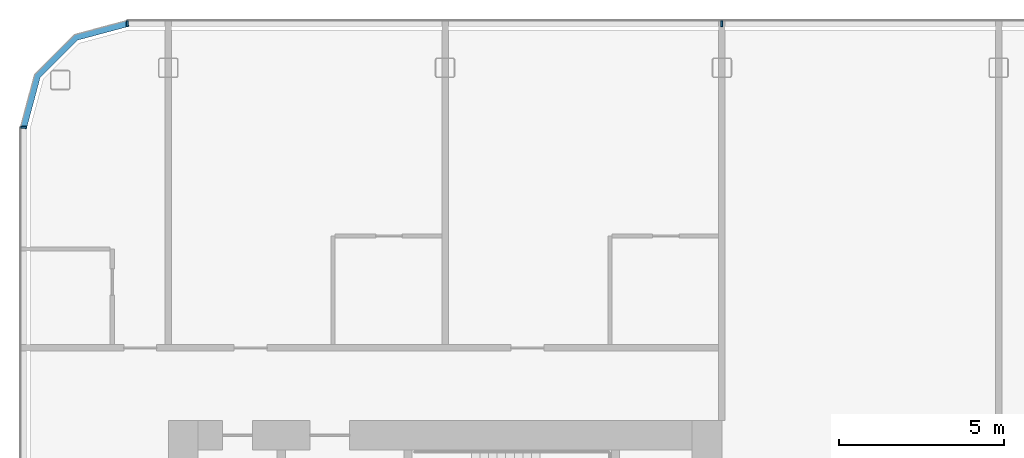
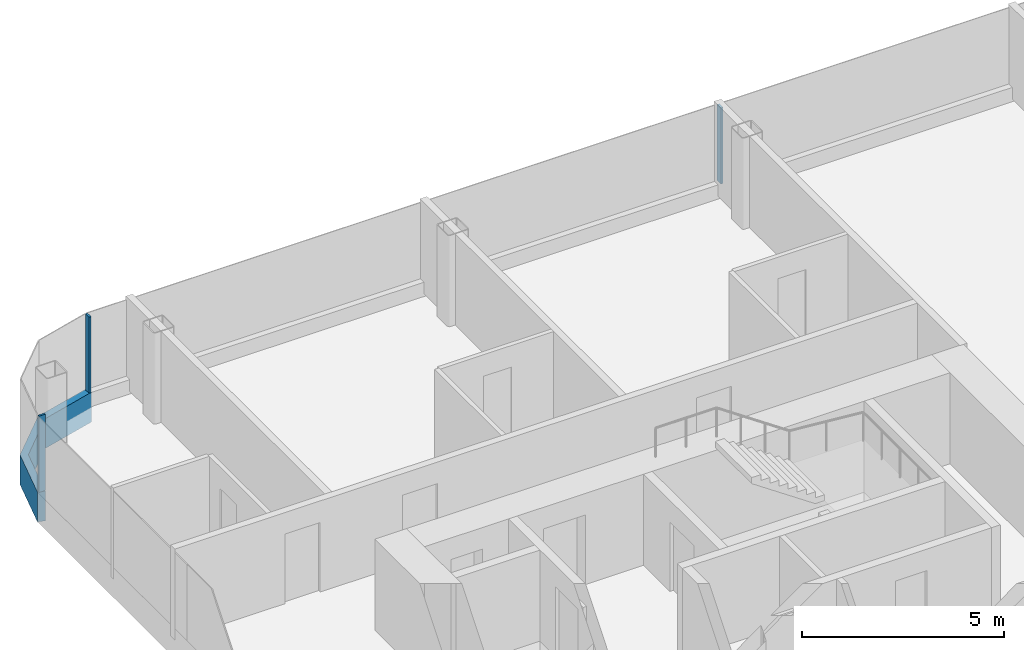
# One storey, part 6 of 25: 4 members, 3 elements without a shape of their own.
"""IFC4 building model written with IfcOpenShell, lengths in metres."""

import ifcopenshell
import ifcopenshell.guid

model = None  # the IFC model being written
_history = None  # IfcOwnerHistory: only IFC2X3 demands one
_inside = {}  # id of a spatial element -> (the spatial element, [elements in it])
_under = {}  # id of a project, library or spatial element -> (it, [spatial elements below it])
_declared = {}  # id of a project -> (the project, [libraries it declares])
_typed = {}  # id of a type object -> (the type object, [elements of that type])
_made_of = {}  # id of a material, layer set ... -> (it, [elements and type objects made of it])


def new_model(schema):
    """Start an empty IFC model of exactly this schema.

    Asked for "IFC4X3", IfcOpenShell would pick the latest addendum, in which some entities
    have other attributes; the version numbers below select the first issue.
    IFC2X3 requires an IfcOwnerHistory on every rooted entity: one is made here for all.
    """
    global model, _history
    if schema == "IFC4X3":
        model = ifcopenshell.file(schema_version=(4, 3, 0, 0))
    else:
        model = ifcopenshell.file(schema=schema)
    _inside.clear()
    _under.clear()
    _declared.clear()
    _typed.clear()
    _made_of.clear()
    _history = None
    if model.schema == "IFC2X3":
        org = make("IfcOrganization", Name="unknown")
        user = make(
            "IfcPersonAndOrganization",
            ThePerson=make("IfcPerson", FamilyName="unknown"),
            TheOrganization=org,
        )
        app = make(
            "IfcApplication",
            ApplicationDeveloper=org,
            Version="unknown",
            ApplicationFullName="unknown",
            ApplicationIdentifier="unknown",
        )
        _history = make(
            "IfcOwnerHistory",
            OwningUser=user,
            OwningApplication=app,
            ChangeAction="ADDED",
            CreationDate=0,
        )
    return model


def make(cls, **values):
    """One entity of the class cls with the attributes given. An attribute that is None is left unset."""
    return model.create_entity(
        cls, **{name: value for name, value in values.items() if value is not None}
    )


def rooted(cls, **values):
    """An entity with a GlobalId (a new one), such as an element, a storey or a relation."""
    return make(cls, GlobalId=ifcopenshell.guid.new(), OwnerHistory=_history, **values)


def si_unit(unit_type, name, prefix=None):
    """IfcSIUnit, for example si_unit("LENGTHUNIT", "METRE", prefix="MILLI")."""
    return make("IfcSIUnit", UnitType=unit_type, Prefix=prefix, Name=name)


def assignment(units):
    """IfcUnitAssignment: the units of a project."""
    return None if units is None else make("IfcUnitAssignment", Units=units)


def point(xyz):
    """IfcCartesianPoint."""
    return None if xyz is None else make("IfcCartesianPoint", Coordinates=xyz)


def direction(xyz):
    """IfcDirection."""
    return None if xyz is None else make("IfcDirection", DirectionRatios=xyz)


def frame(location, z_axis=None, x_axis=None):
    """IfcAxis2Placement3D, a coordinate frame: its origin and axes. An axis left out is left unset."""
    return make(
        "IfcAxis2Placement3D",
        Location=point(location),
        Axis=direction(z_axis),
        RefDirection=direction(x_axis),
    )


def frame_2d(location, x_axis=None):
    """IfcAxis2Placement2D, a coordinate frame in the plane: its origin and x axis."""
    return make(
        "IfcAxis2Placement2D", Location=point(location), RefDirection=direction(x_axis)
    )


def origin():
    """The frame at (0, 0, 0) with its axes left unset."""
    return frame((0.0, 0.0, 0.0))


def origin_2d():
    """The frame at (0, 0) in the plane with its x axis left unset."""
    return frame_2d((0.0, 0.0))


def place(relative_to, where):
    """IfcLocalPlacement: puts the frame where relative to a parent placement (None: the world)."""
    return make(
        "IfcLocalPlacement", PlacementRelTo=relative_to, RelativePlacement=where
    )


def context(
    kind, dimensions, precision=None, world=None, true_north=None, identifier=None
):
    """IfcGeometricRepresentationContext, for example the 3D "Model" context."""
    return make(
        "IfcGeometricRepresentationContext",
        ContextIdentifier=identifier,
        ContextType=kind,
        CoordinateSpaceDimension=dimensions,
        Precision=precision,
        WorldCoordinateSystem=world,
        TrueNorth=true_north,
    )


def subcontext(parent, identifier, kind, view, scale=None):
    """IfcGeometricRepresentationSubContext, for example "Body" below "Model"."""
    return make(
        "IfcGeometricRepresentationSubContext",
        ContextIdentifier=identifier,
        ContextType=kind,
        ParentContext=parent,
        TargetScale=scale,
        TargetView=view,
    )


def project(units=None, contexts=None):
    """IfcProject with its units and contexts."""
    return rooted(
        "IfcProject",
        Name="project",
        RepresentationContexts=contexts,
        UnitsInContext=assignment(units),
    )


def spatial(cls, under=None, at=None, **own):
    """A site, building, storey or space (cls), placed at a placement, below another one or the project."""
    s = rooted(cls, ObjectPlacement=at, **own)
    if under is not None:
        _under.setdefault(under.id(), (under, []))[1].append(s)
    return s


def polyline(points):
    """IfcPolyline through the points."""
    return make("IfcPolyline", Points=[point(p) for p in points])


def profile(cls, at=None, kind="AREA", **sizes):
    """A parametric profile (cls). Its sizes go by their IFC names, for example OverallWidth=200.0."""
    return make(cls, ProfileType=kind, Position=at, **sizes)


def rectangle(**sizes):
    """IfcRectangleProfileDef."""
    return profile("IfcRectangleProfileDef", **sizes)


def outline(outer, holes=None, kind="AREA"):
    """IfcArbitraryClosedProfileDef: a profile drawn as a closed curve; with holes, ...WithVoids."""
    if holes is None:
        return make("IfcArbitraryClosedProfileDef", ProfileType=kind, OuterCurve=outer)
    return make(
        "IfcArbitraryProfileDefWithVoids",
        ProfileType=kind,
        OuterCurve=outer,
        InnerCurves=holes,
    )


def extrude(swept, where, along, depth):
    """IfcExtrudedAreaSolid: the profile swept, set in the frame where, extruded along a direction by depth."""
    return make(
        "IfcExtrudedAreaSolid",
        SweptArea=swept,
        Position=where,
        ExtrudedDirection=direction(along),
        Depth=depth,
    )


def shape(context_of_items, identifier, shape_type, items):
    """IfcShapeRepresentation: the items that make up one representation, for example the "Body"."""
    return make(
        "IfcShapeRepresentation",
        ContextOfItems=context_of_items,
        RepresentationIdentifier=identifier,
        RepresentationType=shape_type,
        Items=items,
    )


def material(Name=None, Category=None):
    """IfcMaterial."""
    return make("IfcMaterial", Name=Name, Category=Category)


def layer(
    of_material, thickness, ventilated=None, Name=None, Category=None, Priority=None
):
    """IfcMaterialLayer: one layer of a wall or slab, of a material (None: an air gap)."""
    return make(
        "IfcMaterialLayer",
        Material=of_material,
        LayerThickness=thickness,
        IsVentilated=ventilated,
        Name=Name,
        Category=Category,
        Priority=Priority,
    )


def layer_set(layers, Name=None):
    """IfcMaterialLayerSet."""
    return make("IfcMaterialLayerSet", MaterialLayers=layers, LayerSetName=Name)


def material_profile(
    of_material, cross_section, Name=None, Category=None, Priority=None
):
    """IfcMaterialProfile: a cross section and its material."""
    return make(
        "IfcMaterialProfile",
        Name=Name,
        Material=of_material,
        Profile=cross_section,
        Priority=Priority,
        Category=Category,
    )


def profile_set(profiles, Name=None, composite=None):
    """IfcMaterialProfileSet."""
    return make(
        "IfcMaterialProfileSet",
        Name=Name,
        MaterialProfiles=profiles,
        CompositeProfile=composite,
    )


def made_of(thing, what):
    """Note that an element or type object is made of a material, layer set ...; save() writes the relation."""
    if what is not None:
        _made_of.setdefault(what.id(), (what, []))[1].append(thing)
    return thing


def type_object(cls, material=None, **own):
    """A type object (cls), such as IfcWallType, which elements share."""
    return made_of(rooted(cls, **own), material)


def element(
    cls,
    number,
    at=None,
    inside=None,
    cuts=None,
    type_object=None,
    material=None,
    context=None,
    identifier="Body",
    shape_type=None,
    held_by="IfcProductDefinitionShape",
    body=None,
    shapes=None,
    **own,
):
    """One element of the class cls, such as IfcWall. Its Tag is "e" and its number.

    at: its placement. inside: the storey or other place that contains it. cuts: it is an
    opening in that element (IfcRelVoidsElement). A single representation is given by context,
    identifier, shape_type and body (its items); several are given by shapes. held_by: the class
    of the entity that holds the representations. save() writes the other relations.
    """
    e = rooted(cls, Tag="e%d" % number, ObjectPlacement=at, **own)
    if body is not None:
        shapes = [shape(context, identifier, shape_type, body)]
    if shapes is not None:
        e.Representation = make(held_by, Representations=shapes)
    if inside is not None:
        _inside.setdefault(inside.id(), (inside, []))[1].append(e)
    if cuts is not None:
        rooted(
            "IfcRelVoidsElement", RelatingBuildingElement=cuts, RelatedOpeningElement=e
        )
    if type_object is not None:
        _typed.setdefault(type_object.id(), (type_object, []))[1].append(e)
    return made_of(e, material)


def aggregate(whole, parts):
    """IfcRelAggregates: a whole, such as a stair, and the parts it consists of."""
    return rooted("IfcRelAggregates", RelatingObject=whole, RelatedObjects=parts)


def save(model, path):
    """Write the relations noted so far, then the file.

    IfcRelAggregates (storeys below a building ...), IfcRelContainedInSpatialStructure (elements
    in a storey), IfcRelDefinesByType, IfcRelAssociatesMaterial and IfcRelDeclares: one each for
    every whole, place, type object, material and project.
    """
    for whole, parts in _under.values():
        aggregate(whole, parts)
    for where, things in _inside.values():
        rooted(
            "IfcRelContainedInSpatialStructure",
            RelatedElements=things,
            RelatingStructure=where,
        )
    for kind, things in _typed.values():
        rooted("IfcRelDefinesByType", RelatedObjects=things, RelatingType=kind)
    for what, things in _made_of.values():
        rooted("IfcRelAssociatesMaterial", RelatedObjects=things, RelatingMaterial=what)
    for by, libraries in _declared.values():
        rooted("IfcRelDeclares", RelatingContext=by, RelatedDefinitions=libraries)
    model.write(path)


model = new_model("IFC4")

# Units and contexts
model_context = context("Model", 3, precision=1e-05, world=origin(), true_north=direction((0.0, 1.0)))
body_context = subcontext(model_context, "Body", "Model", "MODEL_VIEW")
ifc_project = project(units=[si_unit("LENGTHUNIT", "METRE"), si_unit("AREAUNIT", "SQUARE_METRE"), si_unit("VOLUMEUNIT", "CUBIC_METRE"), si_unit("PLANEANGLEUNIT", "RADIAN"), si_unit("MASSUNIT", "GRAM", prefix="KILO")], contexts=[model_context])

# Site, building, storey
site_placement = place(None, origin())
site = spatial("IfcSite", under=ifc_project, at=site_placement, CompositionType="ELEMENT")
building_placement = place(site_placement, origin())
building = spatial("IfcBuilding", under=site, at=building_placement, Name="Hakoniwa Tower and Hamabe Station Hall", CompositionType="ELEMENT")
storey_placement = place(building_placement, frame((0.0, 0.0, 186.60009765625)))
storey = spatial("IfcBuildingStorey", under=building, at=storey_placement, Name="L52", CompositionType="ELEMENT", Elevation=186.60009765625)

# Curtain wall, member
ifc_material_1 = material(Name="Dark low-e laminated glass", Category="glass")
ifc_layer = layer(ifc_material_1, 0.199951171875)
ifc_layer_set = layer_set([ifc_layer], Name="CW-1 UNITISED GUEST")
curtain_wall_type = type_object("IfcCurtainWallType", Name="CW-1 UNITISED GUEST", PredefinedType="NOTDEFINED", material=ifc_layer_set)
curtain_wall_1_placement = place(storey_placement, origin())
curtain_wall_1 = element("IfcCurtainWall", 1, at=curtain_wall_1_placement, inside=storey, type_object=curtain_wall_type, Name="CW-1 curtain wall", PredefinedType="NOTDEFINED")
ifc_material_2 = material(Name="Aluminium 6063-T5 black anodised", Category="aluminium")
ifc_material_profile_1 = material_profile(ifc_material_2, rectangle(XDim=0.199951171875, YDim=0.89990234375, at=origin_2d()), Name="CW SLAB-EDGE BAND 900X200")
ifc_profile_set_1 = profile_set([ifc_material_profile_1], Name="Aluminium 6063-T5 black anodised")
member_type_1 = type_object("IfcMemberType", Name="CW SLAB-EDGE BAND 900X200", PredefinedType="USERDEFINED", material=ifc_profile_set_1)
member_1_placement = place(storey_placement, frame((0.0, 0.0, -0.550048828125)))
member_1 = element("IfcMember", 2, at=member_1_placement, type_object=member_type_1, Name="CW-1 transom", ObjectType="TRANSOM", PredefinedType="USERDEFINED", context=body_context, shape_type="SweptSolid", body=[
    extrude(outline(polyline([(-34.839599609375, 20.550048828125), (-36.455322265625, 20.116943359375), (-37.6669921875, 18.9052734375), (-38.10009765625, 17.28955078125), (-37.90673828125, 17.23779296875), (-37.48779296875, 18.8017578125), (-36.351806640625, 19.937744140625), (-34.787841796875, 20.35693359375), (-34.839599609375, 20.550048828125)])), origin(), (0.0, 0.0, 1.0), 0.89990234375),
])
aggregate(curtain_wall_1, [member_1])

# Curtain wall, members
curtain_wall_2_placement = place(storey_placement, origin())
curtain_wall_2 = element("IfcCurtainWall", 3, at=curtain_wall_2_placement, inside=storey, type_object=curtain_wall_type, Name="CW-1 curtain wall", PredefinedType="NOTDEFINED")
ifc_material_3 = material(Name="Aluminium 6063-T5 black anodised", Category="aluminium")
ifc_material_profile_2 = material_profile(ifc_material_3, rectangle(XDim=0.06005859375, YDim=0.179931640625, at=origin_2d()), Name="CW-1 MULLION 60X180")
ifc_profile_set_2 = profile_set([ifc_material_profile_2], Name="Aluminium 6063-T5 black anodised")
member_type_2 = type_object("IfcMemberType", Name="CW-1 MULLION 60X180", PredefinedType="MULLION", material=ifc_profile_set_2)
member_2_placement = place(storey_placement, frame((-16.800048828125, 20.431884765625, 0.349853515625), z_axis=(0.0, 0.0, 1.0), x_axis=(-1.0, 0.0, 0.0)))
member_2 = element("IfcMember", 4, at=member_2_placement, type_object=member_type_2, Name="CW-1 mullion", PredefinedType="MULLION", context=body_context, shape_type="SweptSolid", body=[
    extrude(rectangle(XDim=0.06005859375, YDim=0.179931640625, at=origin_2d()), origin(), (0.0, 0.0, 1.0), 2.300048828125),
])
member_3_placement = place(storey_placement, frame((-34.839599609375, 20.431884765625, 0.349853515625), z_axis=(0.0, 0.0, 1.0), x_axis=(-1.0, 0.0, 0.0)))
member_3 = element("IfcMember", 5, at=member_3_placement, type_object=member_type_2, Name="CW-1 mullion", PredefinedType="MULLION", context=body_context, shape_type="SweptSolid", body=[
    extrude(rectangle(XDim=0.06005859375, YDim=0.179931640625, at=origin_2d()), origin(), (0.0, 0.0, 1.0), 2.300048828125),
])
aggregate(curtain_wall_2, [member_2, member_3])

# Curtain wall, member
curtain_wall_3_placement = place(storey_placement, origin())
curtain_wall_3 = element("IfcCurtainWall", 6, at=curtain_wall_3_placement, inside=storey, type_object=curtain_wall_type, Name="CW-1 curtain wall", PredefinedType="NOTDEFINED")
member_4_placement = place(storey_placement, frame((-37.98193359375, 17.28955078125, 0.349853515625), z_axis=(0.0, 0.0, 1.0), x_axis=(0.0, -1.0, 0.0)))
member_4 = element("IfcMember", 7, at=member_4_placement, type_object=member_type_2, Name="CW-1 mullion", PredefinedType="MULLION", context=body_context, shape_type="SweptSolid", body=[
    extrude(rectangle(XDim=0.06005859375, YDim=0.179931640625, at=origin_2d()), origin(), (0.0, 0.0, 1.0), 2.300048828125),
])
aggregate(curtain_wall_3, [member_4])

save(model, "model.ifc")
